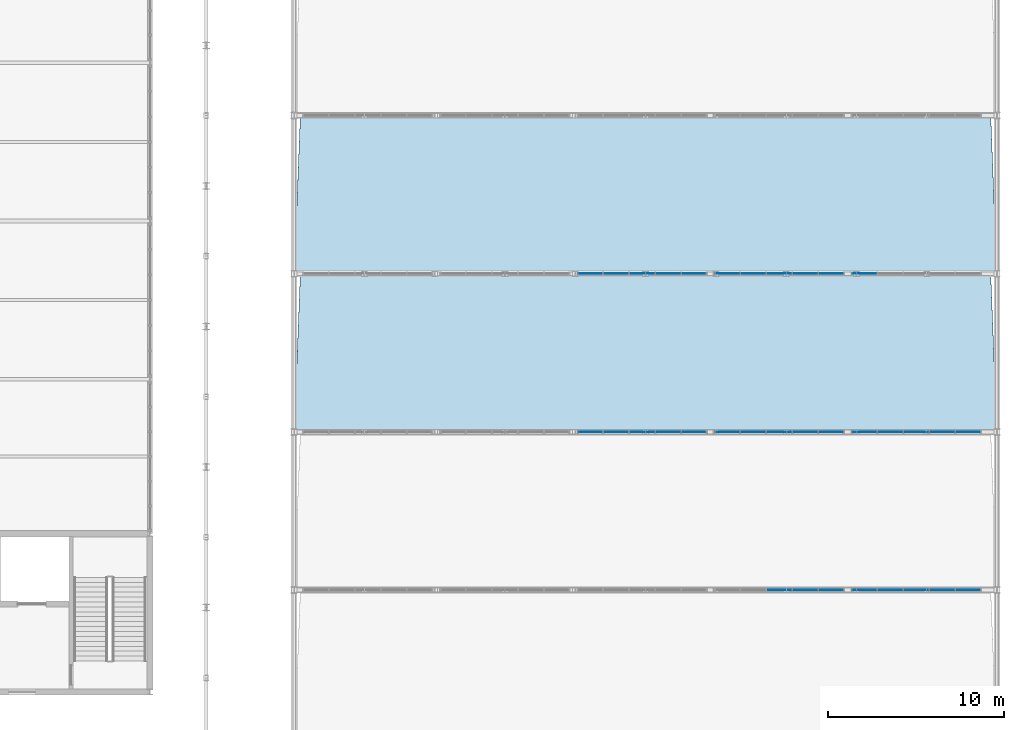
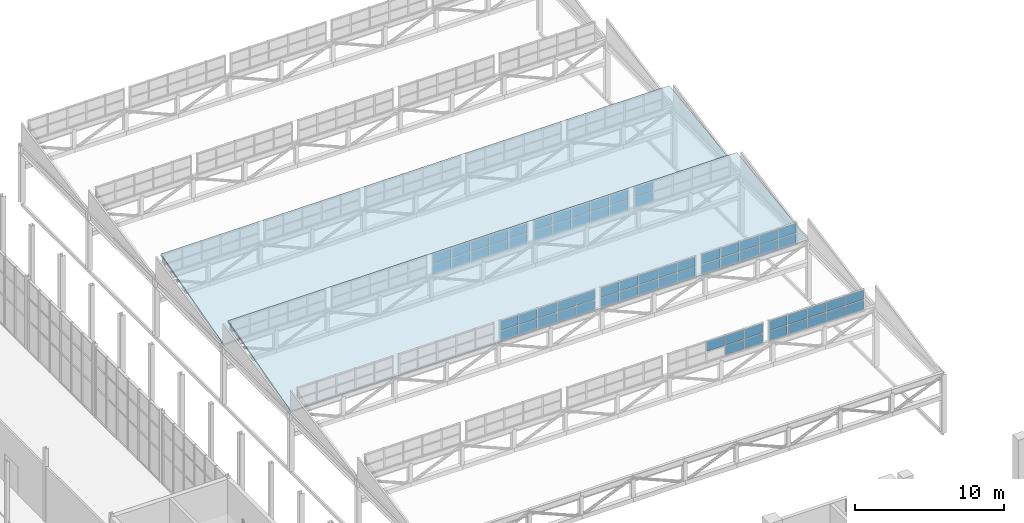
# One storey, part 117 of 159: 67 plates, 2 slabs, 8 elements without a shape of their own.
"""IFC4 building model written with IfcOpenShell, lengths in metres."""

from ifc_helpers import new_model, si_unit, direction, frame, origin, origin_2d, place, context, subcontext, project, spatial, polyline, rectangle, outline, extrude, material, layer, layer_set, type_object, element, aggregate, save


model = new_model("IFC4")

# Units and contexts
model_context = context("Model", 3, precision=1e-05, world=origin(), true_north=direction((0.0, 1.0)))
body_context = subcontext(model_context, "Body", "Model", "MODEL_VIEW")
ifc_project = project(units=[si_unit("LENGTHUNIT", "METRE"), si_unit("AREAUNIT", "SQUARE_METRE"), si_unit("VOLUMEUNIT", "CUBIC_METRE"), si_unit("PLANEANGLEUNIT", "RADIAN"), si_unit("MASSUNIT", "GRAM", prefix="KILO")], contexts=[model_context])

# Site, building, storey
site_placement = place(None, origin())
site = spatial("IfcSite", under=ifc_project, at=site_placement, CompositionType="ELEMENT")
building_placement = place(site_placement, origin())
building = spatial("IfcBuilding", under=site, at=building_placement, Name="Cazmaro Siding Exhibition Halls", CompositionType="ELEMENT")
storey_placement = place(building_placement, frame((0.0, 0.0, 6.0)))
storey = spatial("IfcBuildingStorey", under=building, at=storey_placement, Name="L01", CompositionType="ELEMENT", Elevation=6.0)

# Curtain wall, plates
ifc_material_1 = material(Name="Anodized Bronze Aluminum and Solar-Control Low-E Glazing", Category="aluminium")
ifc_layer_1 = layer(ifc_material_1, 0.159912109375)
ifc_layer_set_1 = layer_set([ifc_layer_1], Name="Anodized Bronze Aluminum and Solar-Control Low-E Glazing")
curtain_wall_type = type_object("IfcCurtainWallType", Name="CWS-04", PredefinedType="USERDEFINED", material=ifc_layer_set_1)
curtain_wall_1_placement = place(storey_placement, origin())
curtain_wall_1 = element("IfcCurtainWall", 1, at=curtain_wall_1_placement, inside=storey, type_object=curtain_wall_type, Name="Clerestory Curtain Wall CWS-04 CW-113", ObjectType="CLERESTORY CURTAIN WALL", PredefinedType="USERDEFINED")
ifc_material_2 = material(Name="Solar-Control Low-E Double Insulating Glass", Category="glass")
ifc_layer_2 = layer(ifc_material_2, 0.028076171875)
ifc_layer_set_2 = layer_set([ifc_layer_2], Name="Solar-Control Low-E Double Insulating Glass")
plate_type = type_object("IfcPlateType", Name="CWP-04", PredefinedType="CURTAIN_PANEL", material=ifc_layer_set_2)
plate_1_placement = place(storey_placement, frame((206.544921875, 73.0, 4.85986328125), z_axis=(0.0, 0.0, 1.0), x_axis=(-1.0, 0.0, 0.0)))
plate_1 = element("IfcPlate", 2, at=plate_1_placement, type_object=plate_type, Name="CWS-04 panel 1.1", PredefinedType="CURTAIN_PANEL", context=body_context, shape_type="SweptSolid", body=[
    extrude(rectangle(XDim=1.389892578125, YDim=0.028076171875, at=origin_2d()), origin(), (0.0, 0.0, 1.0), 0.7900390625),
])
plate_2_placement = place(storey_placement, frame((206.544921875, 73.0, 5.7099609375), z_axis=(0.0, 0.0, 1.0), x_axis=(-1.0, 0.0, 0.0)))
plate_2 = element("IfcPlate", 3, at=plate_2_placement, type_object=plate_type, Name="CWS-04 panel 1.2", PredefinedType="CURTAIN_PANEL", context=body_context, shape_type="SweptSolid", body=[
    extrude(rectangle(XDim=1.389892578125, YDim=0.028076171875, at=origin_2d()), origin(), (0.0, 0.0, 1.0), 0.780029296875),
])
plate_3_placement = place(storey_placement, frame((205.080078125, 73.0, 4.85986328125), z_axis=(0.0, 0.0, 1.0), x_axis=(-1.0, 0.0, 0.0)))
plate_3 = element("IfcPlate", 4, at=plate_3_placement, type_object=plate_type, Name="CWS-04 panel 2.1", PredefinedType="CURTAIN_PANEL", context=body_context, shape_type="SweptSolid", body=[
    extrude(rectangle(XDim=1.419921875, YDim=0.028076171875, at=origin_2d()), origin(), (0.0, 0.0, 1.0), 0.7900390625),
])
plate_4_placement = place(storey_placement, frame((205.080078125, 73.0, 5.7099609375), z_axis=(0.0, 0.0, 1.0), x_axis=(-1.0, 0.0, 0.0)))
plate_4 = element("IfcPlate", 5, at=plate_4_placement, type_object=plate_type, Name="CWS-04 panel 2.2", PredefinedType="CURTAIN_PANEL", context=body_context, shape_type="SweptSolid", body=[
    extrude(rectangle(XDim=1.419921875, YDim=0.028076171875, at=origin_2d()), origin(), (0.0, 0.0, 1.0), 0.780029296875),
])
plate_5_placement = place(storey_placement, frame((203.60009765625, 73.0, 5.7099609375), z_axis=(0.0, 0.0, 1.0), x_axis=(-1.0, 0.0, 0.0)))
plate_5 = element("IfcPlate", 6, at=plate_5_placement, type_object=plate_type, Name="CWS-04 panel 3.2", PredefinedType="CURTAIN_PANEL", context=body_context, shape_type="SweptSolid", body=[
    extrude(rectangle(XDim=1.419921875, YDim=0.028076171875, at=origin_2d()), origin(), (0.0, 0.0, 1.0), 0.780029296875),
])
aggregate(curtain_wall_1, [plate_1, plate_2, plate_3, plate_4, plate_5])

curtain_wall_2_placement = place(storey_placement, origin())
curtain_wall_2 = element("IfcCurtainWall", 7, at=curtain_wall_2_placement, inside=storey, type_object=curtain_wall_type, Name="Clerestory Curtain Wall CWS-04 CW-114", ObjectType="CLERESTORY CURTAIN WALL", PredefinedType="USERDEFINED")
plate_6_placement = place(storey_placement, frame((214.344970703125, 73.0, 4.85986328125), z_axis=(0.0, 0.0, 1.0), x_axis=(-1.0, 0.0, 0.0)))
plate_6 = element("IfcPlate", 8, at=plate_6_placement, type_object=plate_type, Name="CWS-04 panel 1.1", PredefinedType="CURTAIN_PANEL", context=body_context, shape_type="SweptSolid", body=[
    extrude(rectangle(XDim=1.389892578125, YDim=0.028076171875, at=origin_2d()), origin(), (0.0, 0.0, 1.0), 0.7900390625),
])
plate_7_placement = place(storey_placement, frame((214.344970703125, 73.0, 5.7099609375), z_axis=(0.0, 0.0, 1.0), x_axis=(-1.0, 0.0, 0.0)))
plate_7 = element("IfcPlate", 9, at=plate_7_placement, type_object=plate_type, Name="CWS-04 panel 1.2", PredefinedType="CURTAIN_PANEL", context=body_context, shape_type="SweptSolid", body=[
    extrude(rectangle(XDim=1.389892578125, YDim=0.028076171875, at=origin_2d()), origin(), (0.0, 0.0, 1.0), 0.780029296875),
])
plate_8_placement = place(storey_placement, frame((212.8798828125, 73.0, 4.85986328125), z_axis=(0.0, 0.0, 1.0), x_axis=(-1.0, 0.0, 0.0)))
plate_8 = element("IfcPlate", 10, at=plate_8_placement, type_object=plate_type, Name="CWS-04 panel 2.1", PredefinedType="CURTAIN_PANEL", context=body_context, shape_type="SweptSolid", body=[
    extrude(rectangle(XDim=1.419921875, YDim=0.028076171875, at=origin_2d()), origin(), (0.0, 0.0, 1.0), 0.7900390625),
])
plate_9_placement = place(storey_placement, frame((212.8798828125, 73.0, 5.7099609375), z_axis=(0.0, 0.0, 1.0), x_axis=(-1.0, 0.0, 0.0)))
plate_9 = element("IfcPlate", 11, at=plate_9_placement, type_object=plate_type, Name="CWS-04 panel 2.2", PredefinedType="CURTAIN_PANEL", context=body_context, shape_type="SweptSolid", body=[
    extrude(rectangle(XDim=1.419921875, YDim=0.028076171875, at=origin_2d()), origin(), (0.0, 0.0, 1.0), 0.780029296875),
])
plate_10_placement = place(storey_placement, frame((211.39990234375, 73.0, 4.85986328125), z_axis=(0.0, 0.0, 1.0), x_axis=(-1.0, 0.0, 0.0)))
plate_10 = element("IfcPlate", 12, at=plate_10_placement, type_object=plate_type, Name="CWS-04 panel 3.1", PredefinedType="CURTAIN_PANEL", context=body_context, shape_type="SweptSolid", body=[
    extrude(rectangle(XDim=1.419921875, YDim=0.028076171875, at=origin_2d()), origin(), (0.0, 0.0, 1.0), 0.7900390625),
])
plate_11_placement = place(storey_placement, frame((211.39990234375, 73.0, 5.7099609375), z_axis=(0.0, 0.0, 1.0), x_axis=(-1.0, 0.0, 0.0)))
plate_11 = element("IfcPlate", 13, at=plate_11_placement, type_object=plate_type, Name="CWS-04 panel 3.2", PredefinedType="CURTAIN_PANEL", context=body_context, shape_type="SweptSolid", body=[
    extrude(rectangle(XDim=1.419921875, YDim=0.028076171875, at=origin_2d()), origin(), (0.0, 0.0, 1.0), 0.780029296875),
])
plate_12_placement = place(storey_placement, frame((209.919921875, 73.0, 4.85986328125), z_axis=(0.0, 0.0, 1.0), x_axis=(-1.0, 0.0, 0.0)))
plate_12 = element("IfcPlate", 14, at=plate_12_placement, type_object=plate_type, Name="CWS-04 panel 4.1", PredefinedType="CURTAIN_PANEL", context=body_context, shape_type="SweptSolid", body=[
    extrude(rectangle(XDim=1.419921875, YDim=0.028076171875, at=origin_2d()), origin(), (0.0, 0.0, 1.0), 0.7900390625),
])
plate_13_placement = place(storey_placement, frame((209.919921875, 73.0, 5.7099609375), z_axis=(0.0, 0.0, 1.0), x_axis=(-1.0, 0.0, 0.0)))
plate_13 = element("IfcPlate", 15, at=plate_13_placement, type_object=plate_type, Name="CWS-04 panel 4.2", PredefinedType="CURTAIN_PANEL", context=body_context, shape_type="SweptSolid", body=[
    extrude(rectangle(XDim=1.419921875, YDim=0.028076171875, at=origin_2d()), origin(), (0.0, 0.0, 1.0), 0.780029296875),
])
plate_14_placement = place(storey_placement, frame((208.455078125, 73.0, 4.85986328125), z_axis=(0.0, 0.0, 1.0), x_axis=(-1.0, 0.0, 0.0)))
plate_14 = element("IfcPlate", 16, at=plate_14_placement, type_object=plate_type, Name="CWS-04 panel 5.1", PredefinedType="CURTAIN_PANEL", context=body_context, shape_type="SweptSolid", body=[
    extrude(rectangle(XDim=1.389892578125, YDim=0.028076171875, at=origin_2d()), origin(), (0.0, 0.0, 1.0), 0.7900390625),
])
plate_15_placement = place(storey_placement, frame((208.455078125, 73.0, 5.7099609375), z_axis=(0.0, 0.0, 1.0), x_axis=(-1.0, 0.0, 0.0)))
plate_15 = element("IfcPlate", 17, at=plate_15_placement, type_object=plate_type, Name="CWS-04 panel 5.2", PredefinedType="CURTAIN_PANEL", context=body_context, shape_type="SweptSolid", body=[
    extrude(rectangle(XDim=1.389892578125, YDim=0.028076171875, at=origin_2d()), origin(), (0.0, 0.0, 1.0), 0.780029296875),
])
aggregate(curtain_wall_2, [plate_6, plate_7, plate_8, plate_9, plate_10, plate_11, plate_12, plate_13, plate_14, plate_15])

curtain_wall_3_placement = place(storey_placement, origin())
curtain_wall_3 = element("IfcCurtainWall", 18, at=curtain_wall_3_placement, inside=storey, type_object=curtain_wall_type, Name="Clerestory Curtain Wall CWS-04 CW-117", ObjectType="CLERESTORY CURTAIN WALL", PredefinedType="USERDEFINED")
plate_16_placement = place(storey_placement, frame((198.7451171875, 82.0, 4.85986328125), z_axis=(0.0, 0.0, 1.0), x_axis=(-1.0, 0.0, 0.0)))
plate_16 = element("IfcPlate", 19, at=plate_16_placement, type_object=plate_type, Name="CWS-04 panel 1.1", PredefinedType="CURTAIN_PANEL", context=body_context, shape_type="SweptSolid", body=[
    extrude(rectangle(XDim=1.389892578125, YDim=0.028076171875, at=origin_2d()), origin(), (0.0, 0.0, 1.0), 0.7900390625),
])
plate_17_placement = place(storey_placement, frame((198.7451171875, 82.0, 5.7099609375), z_axis=(0.0, 0.0, 1.0), x_axis=(-1.0, 0.0, 0.0)))
plate_17 = element("IfcPlate", 20, at=plate_17_placement, type_object=plate_type, Name="CWS-04 panel 1.2", PredefinedType="CURTAIN_PANEL", context=body_context, shape_type="SweptSolid", body=[
    extrude(rectangle(XDim=1.389892578125, YDim=0.028076171875, at=origin_2d()), origin(), (0.0, 0.0, 1.0), 0.780029296875),
])
plate_18_placement = place(storey_placement, frame((197.280029296875, 82.0, 4.85986328125), z_axis=(0.0, 0.0, 1.0), x_axis=(-1.0, 0.0, 0.0)))
plate_18 = element("IfcPlate", 21, at=plate_18_placement, type_object=plate_type, Name="CWS-04 panel 2.1", PredefinedType="CURTAIN_PANEL", context=body_context, shape_type="SweptSolid", body=[
    extrude(rectangle(XDim=1.419921875, YDim=0.028076171875, at=origin_2d()), origin(), (0.0, 0.0, 1.0), 0.7900390625),
])
plate_19_placement = place(storey_placement, frame((197.280029296875, 82.0, 5.7099609375), z_axis=(0.0, 0.0, 1.0), x_axis=(-1.0, 0.0, 0.0)))
plate_19 = element("IfcPlate", 22, at=plate_19_placement, type_object=plate_type, Name="CWS-04 panel 2.2", PredefinedType="CURTAIN_PANEL", context=body_context, shape_type="SweptSolid", body=[
    extrude(rectangle(XDim=1.419921875, YDim=0.028076171875, at=origin_2d()), origin(), (0.0, 0.0, 1.0), 0.780029296875),
])
plate_20_placement = place(storey_placement, frame((195.800048828125, 82.0, 4.85986328125), z_axis=(0.0, 0.0, 1.0), x_axis=(-1.0, 0.0, 0.0)))
plate_20 = element("IfcPlate", 23, at=plate_20_placement, type_object=plate_type, Name="CWS-04 panel 3.1", PredefinedType="CURTAIN_PANEL", context=body_context, shape_type="SweptSolid", body=[
    extrude(rectangle(XDim=1.419921875, YDim=0.028076171875, at=origin_2d()), origin(), (0.0, 0.0, 1.0), 0.7900390625),
])
plate_21_placement = place(storey_placement, frame((195.800048828125, 82.0, 5.7099609375), z_axis=(0.0, 0.0, 1.0), x_axis=(-1.0, 0.0, 0.0)))
plate_21 = element("IfcPlate", 24, at=plate_21_placement, type_object=plate_type, Name="CWS-04 panel 3.2", PredefinedType="CURTAIN_PANEL", context=body_context, shape_type="SweptSolid", body=[
    extrude(rectangle(XDim=1.419921875, YDim=0.028076171875, at=origin_2d()), origin(), (0.0, 0.0, 1.0), 0.780029296875),
])
plate_22_placement = place(storey_placement, frame((194.320068359375, 82.0, 4.85986328125), z_axis=(0.0, 0.0, 1.0), x_axis=(-1.0, 0.0, 0.0)))
plate_22 = element("IfcPlate", 25, at=plate_22_placement, type_object=plate_type, Name="CWS-04 panel 4.1", PredefinedType="CURTAIN_PANEL", context=body_context, shape_type="SweptSolid", body=[
    extrude(rectangle(XDim=1.419921875, YDim=0.028076171875, at=origin_2d()), origin(), (0.0, 0.0, 1.0), 0.7900390625),
])
plate_23_placement = place(storey_placement, frame((194.320068359375, 82.0, 5.7099609375), z_axis=(0.0, 0.0, 1.0), x_axis=(-1.0, 0.0, 0.0)))
plate_23 = element("IfcPlate", 26, at=plate_23_placement, type_object=plate_type, Name="CWS-04 panel 4.2", PredefinedType="CURTAIN_PANEL", context=body_context, shape_type="SweptSolid", body=[
    extrude(rectangle(XDim=1.419921875, YDim=0.028076171875, at=origin_2d()), origin(), (0.0, 0.0, 1.0), 0.780029296875),
])
plate_24_placement = place(storey_placement, frame((192.85498046875, 82.0, 4.85986328125), z_axis=(0.0, 0.0, 1.0), x_axis=(-1.0, 0.0, 0.0)))
plate_24 = element("IfcPlate", 27, at=plate_24_placement, type_object=plate_type, Name="CWS-04 panel 5.1", PredefinedType="CURTAIN_PANEL", context=body_context, shape_type="SweptSolid", body=[
    extrude(rectangle(XDim=1.389892578125, YDim=0.028076171875, at=origin_2d()), origin(), (0.0, 0.0, 1.0), 0.7900390625),
])
plate_25_placement = place(storey_placement, frame((192.85498046875, 82.0, 5.7099609375), z_axis=(0.0, 0.0, 1.0), x_axis=(-1.0, 0.0, 0.0)))
plate_25 = element("IfcPlate", 28, at=plate_25_placement, type_object=plate_type, Name="CWS-04 panel 5.2", PredefinedType="CURTAIN_PANEL", context=body_context, shape_type="SweptSolid", body=[
    extrude(rectangle(XDim=1.389892578125, YDim=0.028076171875, at=origin_2d()), origin(), (0.0, 0.0, 1.0), 0.780029296875),
])
aggregate(curtain_wall_3, [plate_16, plate_17, plate_18, plate_19, plate_20, plate_21, plate_22, plate_23, plate_24, plate_25])

curtain_wall_4_placement = place(storey_placement, origin())
curtain_wall_4 = element("IfcCurtainWall", 29, at=curtain_wall_4_placement, inside=storey, type_object=curtain_wall_type, Name="Clerestory Curtain Wall CWS-04 CW-118", ObjectType="CLERESTORY CURTAIN WALL", PredefinedType="USERDEFINED")
plate_26_placement = place(storey_placement, frame((206.544921875, 82.0, 4.85986328125), z_axis=(0.0, 0.0, 1.0), x_axis=(-1.0, 0.0, 0.0)))
plate_26 = element("IfcPlate", 30, at=plate_26_placement, type_object=plate_type, Name="CWS-04 panel 1.1", PredefinedType="CURTAIN_PANEL", context=body_context, shape_type="SweptSolid", body=[
    extrude(rectangle(XDim=1.389892578125, YDim=0.028076171875, at=origin_2d()), origin(), (0.0, 0.0, 1.0), 0.7900390625),
])
plate_27_placement = place(storey_placement, frame((206.544921875, 82.0, 5.7099609375), z_axis=(0.0, 0.0, 1.0), x_axis=(-1.0, 0.0, 0.0)))
plate_27 = element("IfcPlate", 31, at=plate_27_placement, type_object=plate_type, Name="CWS-04 panel 1.2", PredefinedType="CURTAIN_PANEL", context=body_context, shape_type="SweptSolid", body=[
    extrude(rectangle(XDim=1.389892578125, YDim=0.028076171875, at=origin_2d()), origin(), (0.0, 0.0, 1.0), 0.780029296875),
])
plate_28_placement = place(storey_placement, frame((205.080078125, 82.0, 4.85986328125), z_axis=(0.0, 0.0, 1.0), x_axis=(-1.0, 0.0, 0.0)))
plate_28 = element("IfcPlate", 32, at=plate_28_placement, type_object=plate_type, Name="CWS-04 panel 2.1", PredefinedType="CURTAIN_PANEL", context=body_context, shape_type="SweptSolid", body=[
    extrude(rectangle(XDim=1.419921875, YDim=0.028076171875, at=origin_2d()), origin(), (0.0, 0.0, 1.0), 0.7900390625),
])
plate_29_placement = place(storey_placement, frame((205.080078125, 82.0, 5.7099609375), z_axis=(0.0, 0.0, 1.0), x_axis=(-1.0, 0.0, 0.0)))
plate_29 = element("IfcPlate", 33, at=plate_29_placement, type_object=plate_type, Name="CWS-04 panel 2.2", PredefinedType="CURTAIN_PANEL", context=body_context, shape_type="SweptSolid", body=[
    extrude(rectangle(XDim=1.419921875, YDim=0.028076171875, at=origin_2d()), origin(), (0.0, 0.0, 1.0), 0.780029296875),
])
plate_30_placement = place(storey_placement, frame((203.60009765625, 82.0, 4.85986328125), z_axis=(0.0, 0.0, 1.0), x_axis=(-1.0, 0.0, 0.0)))
plate_30 = element("IfcPlate", 34, at=plate_30_placement, type_object=plate_type, Name="CWS-04 panel 3.1", PredefinedType="CURTAIN_PANEL", context=body_context, shape_type="SweptSolid", body=[
    extrude(rectangle(XDim=1.419921875, YDim=0.028076171875, at=origin_2d()), origin(), (0.0, 0.0, 1.0), 0.7900390625),
])
plate_31_placement = place(storey_placement, frame((203.60009765625, 82.0, 5.7099609375), z_axis=(0.0, 0.0, 1.0), x_axis=(-1.0, 0.0, 0.0)))
plate_31 = element("IfcPlate", 35, at=plate_31_placement, type_object=plate_type, Name="CWS-04 panel 3.2", PredefinedType="CURTAIN_PANEL", context=body_context, shape_type="SweptSolid", body=[
    extrude(rectangle(XDim=1.419921875, YDim=0.028076171875, at=origin_2d()), origin(), (0.0, 0.0, 1.0), 0.780029296875),
])
plate_32_placement = place(storey_placement, frame((202.1201171875, 82.0, 4.85986328125), z_axis=(0.0, 0.0, 1.0), x_axis=(-1.0, 0.0, 0.0)))
plate_32 = element("IfcPlate", 36, at=plate_32_placement, type_object=plate_type, Name="CWS-04 panel 4.1", PredefinedType="CURTAIN_PANEL", context=body_context, shape_type="SweptSolid", body=[
    extrude(rectangle(XDim=1.419921875, YDim=0.028076171875, at=origin_2d()), origin(), (0.0, 0.0, 1.0), 0.7900390625),
])
plate_33_placement = place(storey_placement, frame((202.1201171875, 82.0, 5.7099609375), z_axis=(0.0, 0.0, 1.0), x_axis=(-1.0, 0.0, 0.0)))
plate_33 = element("IfcPlate", 37, at=plate_33_placement, type_object=plate_type, Name="CWS-04 panel 4.2", PredefinedType="CURTAIN_PANEL", context=body_context, shape_type="SweptSolid", body=[
    extrude(rectangle(XDim=1.419921875, YDim=0.028076171875, at=origin_2d()), origin(), (0.0, 0.0, 1.0), 0.780029296875),
])
plate_34_placement = place(storey_placement, frame((200.655029296875, 82.0, 4.85986328125), z_axis=(0.0, 0.0, 1.0), x_axis=(-1.0, 0.0, 0.0)))
plate_34 = element("IfcPlate", 38, at=plate_34_placement, type_object=plate_type, Name="CWS-04 panel 5.1", PredefinedType="CURTAIN_PANEL", context=body_context, shape_type="SweptSolid", body=[
    extrude(rectangle(XDim=1.389892578125, YDim=0.028076171875, at=origin_2d()), origin(), (0.0, 0.0, 1.0), 0.7900390625),
])
plate_35_placement = place(storey_placement, frame((200.655029296875, 82.0, 5.7099609375), z_axis=(0.0, 0.0, 1.0), x_axis=(-1.0, 0.0, 0.0)))
plate_35 = element("IfcPlate", 39, at=plate_35_placement, type_object=plate_type, Name="CWS-04 panel 5.2", PredefinedType="CURTAIN_PANEL", context=body_context, shape_type="SweptSolid", body=[
    extrude(rectangle(XDim=1.389892578125, YDim=0.028076171875, at=origin_2d()), origin(), (0.0, 0.0, 1.0), 0.780029296875),
])
aggregate(curtain_wall_4, [plate_26, plate_27, plate_28, plate_29, plate_30, plate_31, plate_32, plate_33, plate_34, plate_35])

curtain_wall_5_placement = place(storey_placement, origin())
curtain_wall_5 = element("IfcCurtainWall", 40, at=curtain_wall_5_placement, inside=storey, type_object=curtain_wall_type, Name="Clerestory Curtain Wall CWS-04 CW-119", ObjectType="CLERESTORY CURTAIN WALL", PredefinedType="USERDEFINED")
plate_36_placement = place(storey_placement, frame((214.344970703125, 82.0, 4.85986328125), z_axis=(0.0, 0.0, 1.0), x_axis=(-1.0, 0.0, 0.0)))
plate_36 = element("IfcPlate", 41, at=plate_36_placement, type_object=plate_type, Name="CWS-04 panel 1.1", PredefinedType="CURTAIN_PANEL", context=body_context, shape_type="SweptSolid", body=[
    extrude(rectangle(XDim=1.389892578125, YDim=0.028076171875, at=origin_2d()), origin(), (0.0, 0.0, 1.0), 0.7900390625),
])
plate_37_placement = place(storey_placement, frame((214.344970703125, 82.0, 5.7099609375), z_axis=(0.0, 0.0, 1.0), x_axis=(-1.0, 0.0, 0.0)))
plate_37 = element("IfcPlate", 42, at=plate_37_placement, type_object=plate_type, Name="CWS-04 panel 1.2", PredefinedType="CURTAIN_PANEL", context=body_context, shape_type="SweptSolid", body=[
    extrude(rectangle(XDim=1.389892578125, YDim=0.028076171875, at=origin_2d()), origin(), (0.0, 0.0, 1.0), 0.780029296875),
])
plate_38_placement = place(storey_placement, frame((212.8798828125, 82.0, 4.85986328125), z_axis=(0.0, 0.0, 1.0), x_axis=(-1.0, 0.0, 0.0)))
plate_38 = element("IfcPlate", 43, at=plate_38_placement, type_object=plate_type, Name="CWS-04 panel 2.1", PredefinedType="CURTAIN_PANEL", context=body_context, shape_type="SweptSolid", body=[
    extrude(rectangle(XDim=1.419921875, YDim=0.028076171875, at=origin_2d()), origin(), (0.0, 0.0, 1.0), 0.7900390625),
])
plate_39_placement = place(storey_placement, frame((212.8798828125, 82.0, 5.7099609375), z_axis=(0.0, 0.0, 1.0), x_axis=(-1.0, 0.0, 0.0)))
plate_39 = element("IfcPlate", 44, at=plate_39_placement, type_object=plate_type, Name="CWS-04 panel 2.2", PredefinedType="CURTAIN_PANEL", context=body_context, shape_type="SweptSolid", body=[
    extrude(rectangle(XDim=1.419921875, YDim=0.028076171875, at=origin_2d()), origin(), (0.0, 0.0, 1.0), 0.780029296875),
])
plate_40_placement = place(storey_placement, frame((211.39990234375, 82.0, 4.85986328125), z_axis=(0.0, 0.0, 1.0), x_axis=(-1.0, 0.0, 0.0)))
plate_40 = element("IfcPlate", 45, at=plate_40_placement, type_object=plate_type, Name="CWS-04 panel 3.1", PredefinedType="CURTAIN_PANEL", context=body_context, shape_type="SweptSolid", body=[
    extrude(rectangle(XDim=1.419921875, YDim=0.028076171875, at=origin_2d()), origin(), (0.0, 0.0, 1.0), 0.7900390625),
])
plate_41_placement = place(storey_placement, frame((211.39990234375, 82.0, 5.7099609375), z_axis=(0.0, 0.0, 1.0), x_axis=(-1.0, 0.0, 0.0)))
plate_41 = element("IfcPlate", 46, at=plate_41_placement, type_object=plate_type, Name="CWS-04 panel 3.2", PredefinedType="CURTAIN_PANEL", context=body_context, shape_type="SweptSolid", body=[
    extrude(rectangle(XDim=1.419921875, YDim=0.028076171875, at=origin_2d()), origin(), (0.0, 0.0, 1.0), 0.780029296875),
])
plate_42_placement = place(storey_placement, frame((209.919921875, 82.0, 4.85986328125), z_axis=(0.0, 0.0, 1.0), x_axis=(-1.0, 0.0, 0.0)))
plate_42 = element("IfcPlate", 47, at=plate_42_placement, type_object=plate_type, Name="CWS-04 panel 4.1", PredefinedType="CURTAIN_PANEL", context=body_context, shape_type="SweptSolid", body=[
    extrude(rectangle(XDim=1.419921875, YDim=0.028076171875, at=origin_2d()), origin(), (0.0, 0.0, 1.0), 0.7900390625),
])
plate_43_placement = place(storey_placement, frame((209.919921875, 82.0, 5.7099609375), z_axis=(0.0, 0.0, 1.0), x_axis=(-1.0, 0.0, 0.0)))
plate_43 = element("IfcPlate", 48, at=plate_43_placement, type_object=plate_type, Name="CWS-04 panel 4.2", PredefinedType="CURTAIN_PANEL", context=body_context, shape_type="SweptSolid", body=[
    extrude(rectangle(XDim=1.419921875, YDim=0.028076171875, at=origin_2d()), origin(), (0.0, 0.0, 1.0), 0.780029296875),
])
plate_44_placement = place(storey_placement, frame((208.455078125, 82.0, 4.85986328125), z_axis=(0.0, 0.0, 1.0), x_axis=(-1.0, 0.0, 0.0)))
plate_44 = element("IfcPlate", 49, at=plate_44_placement, type_object=plate_type, Name="CWS-04 panel 5.1", PredefinedType="CURTAIN_PANEL", context=body_context, shape_type="SweptSolid", body=[
    extrude(rectangle(XDim=1.389892578125, YDim=0.028076171875, at=origin_2d()), origin(), (0.0, 0.0, 1.0), 0.7900390625),
])
plate_45_placement = place(storey_placement, frame((208.455078125, 82.0, 5.7099609375), z_axis=(0.0, 0.0, 1.0), x_axis=(-1.0, 0.0, 0.0)))
plate_45 = element("IfcPlate", 50, at=plate_45_placement, type_object=plate_type, Name="CWS-04 panel 5.2", PredefinedType="CURTAIN_PANEL", context=body_context, shape_type="SweptSolid", body=[
    extrude(rectangle(XDim=1.389892578125, YDim=0.028076171875, at=origin_2d()), origin(), (0.0, 0.0, 1.0), 0.780029296875),
])
aggregate(curtain_wall_5, [plate_36, plate_37, plate_38, plate_39, plate_40, plate_41, plate_42, plate_43, plate_44, plate_45])

curtain_wall_6_placement = place(storey_placement, origin())
curtain_wall_6 = element("IfcCurtainWall", 51, at=curtain_wall_6_placement, inside=storey, type_object=curtain_wall_type, Name="Clerestory Curtain Wall CWS-04 CW-122", ObjectType="CLERESTORY CURTAIN WALL", PredefinedType="USERDEFINED")
plate_46_placement = place(storey_placement, frame((198.7451171875, 91.0, 4.85986328125), z_axis=(0.0, 0.0, 1.0), x_axis=(-1.0, 0.0, 0.0)))
plate_46 = element("IfcPlate", 52, at=plate_46_placement, type_object=plate_type, Name="CWS-04 panel 1.1", PredefinedType="CURTAIN_PANEL", context=body_context, shape_type="SweptSolid", body=[
    extrude(rectangle(XDim=1.389892578125, YDim=0.028076171875, at=origin_2d()), origin(), (0.0, 0.0, 1.0), 0.7900390625),
])
plate_47_placement = place(storey_placement, frame((198.7451171875, 91.0, 5.7099609375), z_axis=(0.0, 0.0, 1.0), x_axis=(-1.0, 0.0, 0.0)))
plate_47 = element("IfcPlate", 53, at=plate_47_placement, type_object=plate_type, Name="CWS-04 panel 1.2", PredefinedType="CURTAIN_PANEL", context=body_context, shape_type="SweptSolid", body=[
    extrude(rectangle(XDim=1.389892578125, YDim=0.028076171875, at=origin_2d()), origin(), (0.0, 0.0, 1.0), 0.780029296875),
])
plate_48_placement = place(storey_placement, frame((197.280029296875, 91.0, 4.85986328125), z_axis=(0.0, 0.0, 1.0), x_axis=(-1.0, 0.0, 0.0)))
plate_48 = element("IfcPlate", 54, at=plate_48_placement, type_object=plate_type, Name="CWS-04 panel 2.1", PredefinedType="CURTAIN_PANEL", context=body_context, shape_type="SweptSolid", body=[
    extrude(rectangle(XDim=1.419921875, YDim=0.028076171875, at=origin_2d()), origin(), (0.0, 0.0, 1.0), 0.7900390625),
])
plate_49_placement = place(storey_placement, frame((197.280029296875, 91.0, 5.7099609375), z_axis=(0.0, 0.0, 1.0), x_axis=(-1.0, 0.0, 0.0)))
plate_49 = element("IfcPlate", 55, at=plate_49_placement, type_object=plate_type, Name="CWS-04 panel 2.2", PredefinedType="CURTAIN_PANEL", context=body_context, shape_type="SweptSolid", body=[
    extrude(rectangle(XDim=1.419921875, YDim=0.028076171875, at=origin_2d()), origin(), (0.0, 0.0, 1.0), 0.780029296875),
])
plate_50_placement = place(storey_placement, frame((195.800048828125, 91.0, 4.85986328125), z_axis=(0.0, 0.0, 1.0), x_axis=(-1.0, 0.0, 0.0)))
plate_50 = element("IfcPlate", 56, at=plate_50_placement, type_object=plate_type, Name="CWS-04 panel 3.1", PredefinedType="CURTAIN_PANEL", context=body_context, shape_type="SweptSolid", body=[
    extrude(rectangle(XDim=1.419921875, YDim=0.028076171875, at=origin_2d()), origin(), (0.0, 0.0, 1.0), 0.7900390625),
])
plate_51_placement = place(storey_placement, frame((195.800048828125, 91.0, 5.7099609375), z_axis=(0.0, 0.0, 1.0), x_axis=(-1.0, 0.0, 0.0)))
plate_51 = element("IfcPlate", 57, at=plate_51_placement, type_object=plate_type, Name="CWS-04 panel 3.2", PredefinedType="CURTAIN_PANEL", context=body_context, shape_type="SweptSolid", body=[
    extrude(rectangle(XDim=1.419921875, YDim=0.028076171875, at=origin_2d()), origin(), (0.0, 0.0, 1.0), 0.780029296875),
])
plate_52_placement = place(storey_placement, frame((194.320068359375, 91.0, 4.85986328125), z_axis=(0.0, 0.0, 1.0), x_axis=(-1.0, 0.0, 0.0)))
plate_52 = element("IfcPlate", 58, at=plate_52_placement, type_object=plate_type, Name="CWS-04 panel 4.1", PredefinedType="CURTAIN_PANEL", context=body_context, shape_type="SweptSolid", body=[
    extrude(rectangle(XDim=1.419921875, YDim=0.028076171875, at=origin_2d()), origin(), (0.0, 0.0, 1.0), 0.7900390625),
])
plate_53_placement = place(storey_placement, frame((194.320068359375, 91.0, 5.7099609375), z_axis=(0.0, 0.0, 1.0), x_axis=(-1.0, 0.0, 0.0)))
plate_53 = element("IfcPlate", 59, at=plate_53_placement, type_object=plate_type, Name="CWS-04 panel 4.2", PredefinedType="CURTAIN_PANEL", context=body_context, shape_type="SweptSolid", body=[
    extrude(rectangle(XDim=1.419921875, YDim=0.028076171875, at=origin_2d()), origin(), (0.0, 0.0, 1.0), 0.780029296875),
])
plate_54_placement = place(storey_placement, frame((192.85498046875, 91.0, 4.85986328125), z_axis=(0.0, 0.0, 1.0), x_axis=(-1.0, 0.0, 0.0)))
plate_54 = element("IfcPlate", 60, at=plate_54_placement, type_object=plate_type, Name="CWS-04 panel 5.1", PredefinedType="CURTAIN_PANEL", context=body_context, shape_type="SweptSolid", body=[
    extrude(rectangle(XDim=1.389892578125, YDim=0.028076171875, at=origin_2d()), origin(), (0.0, 0.0, 1.0), 0.7900390625),
])
plate_55_placement = place(storey_placement, frame((192.85498046875, 91.0, 5.7099609375), z_axis=(0.0, 0.0, 1.0), x_axis=(-1.0, 0.0, 0.0)))
plate_55 = element("IfcPlate", 61, at=plate_55_placement, type_object=plate_type, Name="CWS-04 panel 5.2", PredefinedType="CURTAIN_PANEL", context=body_context, shape_type="SweptSolid", body=[
    extrude(rectangle(XDim=1.389892578125, YDim=0.028076171875, at=origin_2d()), origin(), (0.0, 0.0, 1.0), 0.780029296875),
])
aggregate(curtain_wall_6, [plate_46, plate_47, plate_48, plate_49, plate_50, plate_51, plate_52, plate_53, plate_54, plate_55])

curtain_wall_7_placement = place(storey_placement, origin())
curtain_wall_7 = element("IfcCurtainWall", 62, at=curtain_wall_7_placement, inside=storey, type_object=curtain_wall_type, Name="Clerestory Curtain Wall CWS-04 CW-123", ObjectType="CLERESTORY CURTAIN WALL", PredefinedType="USERDEFINED")
plate_56_placement = place(storey_placement, frame((206.544921875, 91.0, 4.85986328125), z_axis=(0.0, 0.0, 1.0), x_axis=(-1.0, 0.0, 0.0)))
plate_56 = element("IfcPlate", 63, at=plate_56_placement, type_object=plate_type, Name="CWS-04 panel 1.1", PredefinedType="CURTAIN_PANEL", context=body_context, shape_type="SweptSolid", body=[
    extrude(rectangle(XDim=1.389892578125, YDim=0.028076171875, at=origin_2d()), origin(), (0.0, 0.0, 1.0), 0.7900390625),
])
plate_57_placement = place(storey_placement, frame((206.544921875, 91.0, 5.7099609375), z_axis=(0.0, 0.0, 1.0), x_axis=(-1.0, 0.0, 0.0)))
plate_57 = element("IfcPlate", 64, at=plate_57_placement, type_object=plate_type, Name="CWS-04 panel 1.2", PredefinedType="CURTAIN_PANEL", context=body_context, shape_type="SweptSolid", body=[
    extrude(rectangle(XDim=1.389892578125, YDim=0.028076171875, at=origin_2d()), origin(), (0.0, 0.0, 1.0), 0.780029296875),
])
plate_58_placement = place(storey_placement, frame((205.080078125, 91.0, 4.85986328125), z_axis=(0.0, 0.0, 1.0), x_axis=(-1.0, 0.0, 0.0)))
plate_58 = element("IfcPlate", 65, at=plate_58_placement, type_object=plate_type, Name="CWS-04 panel 2.1", PredefinedType="CURTAIN_PANEL", context=body_context, shape_type="SweptSolid", body=[
    extrude(rectangle(XDim=1.419921875, YDim=0.028076171875, at=origin_2d()), origin(), (0.0, 0.0, 1.0), 0.7900390625),
])
plate_59_placement = place(storey_placement, frame((205.080078125, 91.0, 5.7099609375), z_axis=(0.0, 0.0, 1.0), x_axis=(-1.0, 0.0, 0.0)))
plate_59 = element("IfcPlate", 66, at=plate_59_placement, type_object=plate_type, Name="CWS-04 panel 2.2", PredefinedType="CURTAIN_PANEL", context=body_context, shape_type="SweptSolid", body=[
    extrude(rectangle(XDim=1.419921875, YDim=0.028076171875, at=origin_2d()), origin(), (0.0, 0.0, 1.0), 0.780029296875),
])
plate_60_placement = place(storey_placement, frame((203.60009765625, 91.0, 4.85986328125), z_axis=(0.0, 0.0, 1.0), x_axis=(-1.0, 0.0, 0.0)))
plate_60 = element("IfcPlate", 67, at=plate_60_placement, type_object=plate_type, Name="CWS-04 panel 3.1", PredefinedType="CURTAIN_PANEL", context=body_context, shape_type="SweptSolid", body=[
    extrude(rectangle(XDim=1.419921875, YDim=0.028076171875, at=origin_2d()), origin(), (0.0, 0.0, 1.0), 0.7900390625),
])
plate_61_placement = place(storey_placement, frame((203.60009765625, 91.0, 5.7099609375), z_axis=(0.0, 0.0, 1.0), x_axis=(-1.0, 0.0, 0.0)))
plate_61 = element("IfcPlate", 68, at=plate_61_placement, type_object=plate_type, Name="CWS-04 panel 3.2", PredefinedType="CURTAIN_PANEL", context=body_context, shape_type="SweptSolid", body=[
    extrude(rectangle(XDim=1.419921875, YDim=0.028076171875, at=origin_2d()), origin(), (0.0, 0.0, 1.0), 0.780029296875),
])
plate_62_placement = place(storey_placement, frame((202.1201171875, 91.0, 4.85986328125), z_axis=(0.0, 0.0, 1.0), x_axis=(-1.0, 0.0, 0.0)))
plate_62 = element("IfcPlate", 69, at=plate_62_placement, type_object=plate_type, Name="CWS-04 panel 4.1", PredefinedType="CURTAIN_PANEL", context=body_context, shape_type="SweptSolid", body=[
    extrude(rectangle(XDim=1.419921875, YDim=0.028076171875, at=origin_2d()), origin(), (0.0, 0.0, 1.0), 0.7900390625),
])
plate_63_placement = place(storey_placement, frame((202.1201171875, 91.0, 5.7099609375), z_axis=(0.0, 0.0, 1.0), x_axis=(-1.0, 0.0, 0.0)))
plate_63 = element("IfcPlate", 70, at=plate_63_placement, type_object=plate_type, Name="CWS-04 panel 4.2", PredefinedType="CURTAIN_PANEL", context=body_context, shape_type="SweptSolid", body=[
    extrude(rectangle(XDim=1.419921875, YDim=0.028076171875, at=origin_2d()), origin(), (0.0, 0.0, 1.0), 0.780029296875),
])
plate_64_placement = place(storey_placement, frame((200.655029296875, 91.0, 4.85986328125), z_axis=(0.0, 0.0, 1.0), x_axis=(-1.0, 0.0, 0.0)))
plate_64 = element("IfcPlate", 71, at=plate_64_placement, type_object=plate_type, Name="CWS-04 panel 5.1", PredefinedType="CURTAIN_PANEL", context=body_context, shape_type="SweptSolid", body=[
    extrude(rectangle(XDim=1.389892578125, YDim=0.028076171875, at=origin_2d()), origin(), (0.0, 0.0, 1.0), 0.7900390625),
])
plate_65_placement = place(storey_placement, frame((200.655029296875, 91.0, 5.7099609375), z_axis=(0.0, 0.0, 1.0), x_axis=(-1.0, 0.0, 0.0)))
plate_65 = element("IfcPlate", 72, at=plate_65_placement, type_object=plate_type, Name="CWS-04 panel 5.2", PredefinedType="CURTAIN_PANEL", context=body_context, shape_type="SweptSolid", body=[
    extrude(rectangle(XDim=1.389892578125, YDim=0.028076171875, at=origin_2d()), origin(), (0.0, 0.0, 1.0), 0.780029296875),
])
aggregate(curtain_wall_7, [plate_56, plate_57, plate_58, plate_59, plate_60, plate_61, plate_62, plate_63, plate_64, plate_65])

curtain_wall_8_placement = place(storey_placement, origin())
curtain_wall_8 = element("IfcCurtainWall", 73, at=curtain_wall_8_placement, inside=storey, type_object=curtain_wall_type, Name="Clerestory Curtain Wall CWS-04 CW-124", ObjectType="CLERESTORY CURTAIN WALL", PredefinedType="USERDEFINED")
plate_66_placement = place(storey_placement, frame((208.455078125, 91.0, 4.85986328125), z_axis=(0.0, 0.0, 1.0), x_axis=(-1.0, 0.0, 0.0)))
plate_66 = element("IfcPlate", 74, at=plate_66_placement, type_object=plate_type, Name="CWS-04 panel 5.1", PredefinedType="CURTAIN_PANEL", context=body_context, shape_type="SweptSolid", body=[
    extrude(rectangle(XDim=1.389892578125, YDim=0.028076171875, at=origin_2d()), origin(), (0.0, 0.0, 1.0), 0.7900390625),
])
plate_67_placement = place(storey_placement, frame((208.455078125, 91.0, 5.7099609375), z_axis=(0.0, 0.0, 1.0), x_axis=(-1.0, 0.0, 0.0)))
plate_67 = element("IfcPlate", 75, at=plate_67_placement, type_object=plate_type, Name="CWS-04 panel 5.2", PredefinedType="CURTAIN_PANEL", context=body_context, shape_type="SweptSolid", body=[
    extrude(rectangle(XDim=1.389892578125, YDim=0.028076171875, at=origin_2d()), origin(), (0.0, 0.0, 1.0), 0.780029296875),
])
aggregate(curtain_wall_8, [plate_66, plate_67])

# Slabs
ifc_material_3 = material(Name="Concrete f'c 35 MPa", Category="concrete")
ifc_layer_3 = layer(ifc_material_3, 0.159912109375)
ifc_layer_set_3 = layer_set([ifc_layer_3], Name="Concrete f'c 35 MPa")
slab_type = type_object("IfcSlabType", Name="RS-01", PredefinedType="ROOF", material=ifc_layer_set_3)
for number, where, z_axis, x_axis, name in (
    (76, (176.0, 82.0, 4.800048828125), (0.0, -0.196121250506, 0.980579652604), (1.0, 0.0, 0.0), "Sawtooth Hall C Roof Monitor 3 RS-01 SLB-0083"),
    (77, (176.0, 91.0, 4.800048828125), (0.0, -0.196121250506, 0.980579652604), (1.0, 0.0, 0.0), "Sawtooth Hall C Roof Monitor 4 RS-01 SLB-0084"),
):
    element("IfcSlab", number, at=place(storey_placement, frame(where, z_axis=z_axis, x_axis=x_axis)), inside=storey, type_object=slab_type, Name=name, PredefinedType="ROOF", context=body_context, shape_type="SweptSolid", body=[
        extrude(outline(polyline([(0.0, 0.0), (40.0, 0.0), (39.64990234375, 9.17824470057506), (0.35009765625, 9.17824470057506), (0.0, 0.0)])), origin(), (0.0, 0.0, -1.0), 0.159912109375),
    ])

save(model, "model.ifc")
